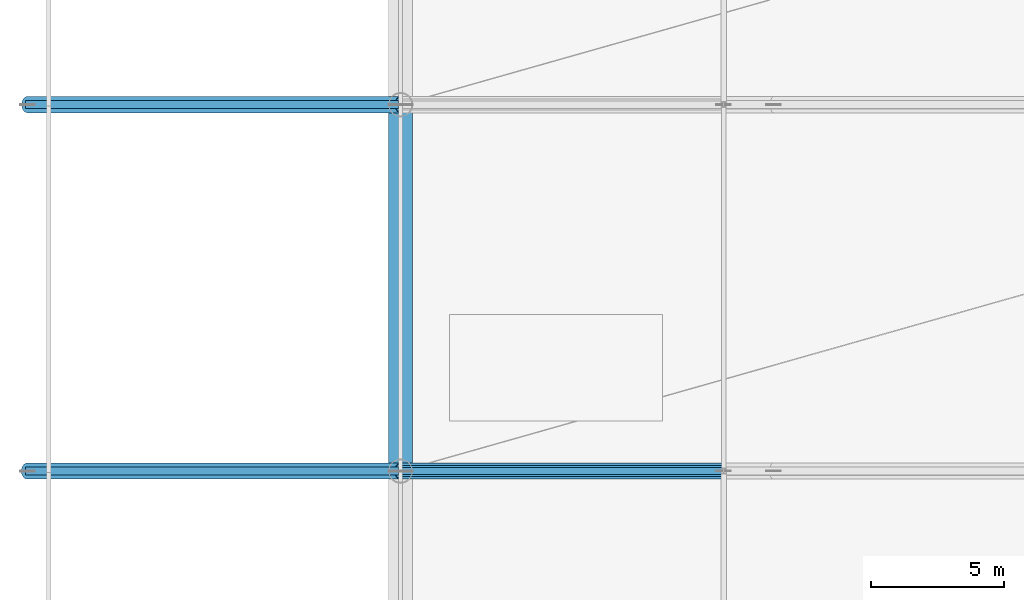
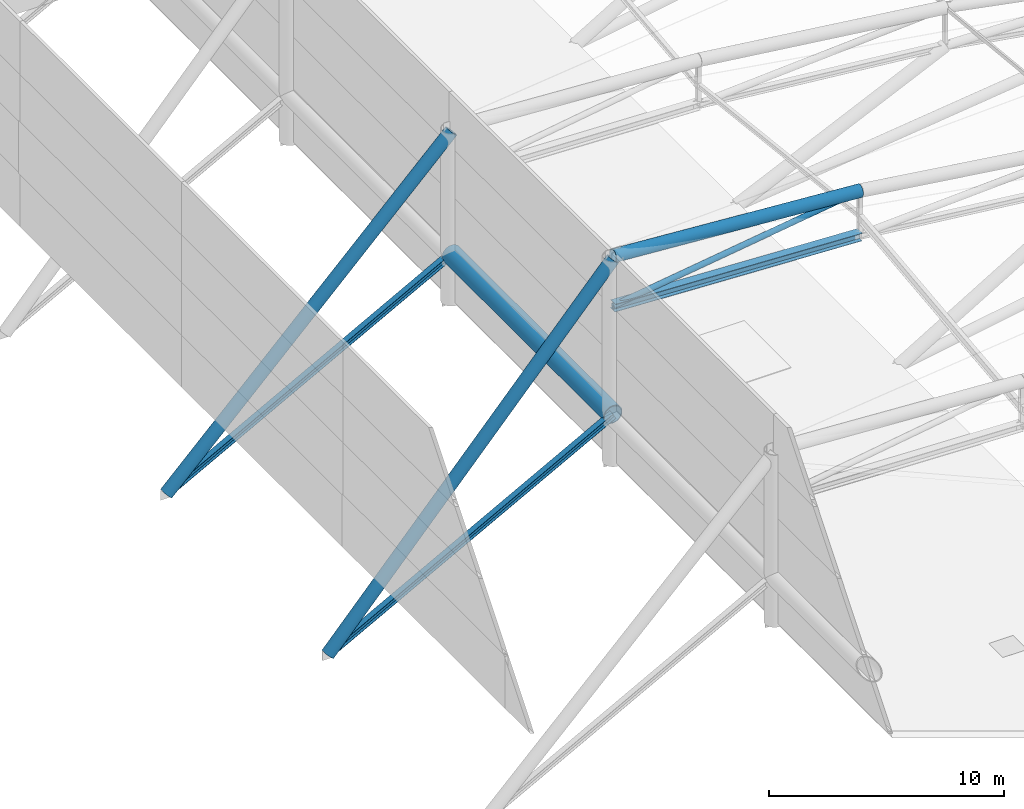
# One storey, part 13 of 36: 7 members, 1 beam.
"""IFC4 building model written with IfcOpenShell, lengths in metres."""

import ifcopenshell
import ifcopenshell.guid

model = None  # the IFC model being written
_history = None  # IfcOwnerHistory: only IFC2X3 demands one
_inside = {}  # id of a spatial element -> (the spatial element, [elements in it])
_under = {}  # id of a project, library or spatial element -> (it, [spatial elements below it])
_declared = {}  # id of a project -> (the project, [libraries it declares])
_typed = {}  # id of a type object -> (the type object, [elements of that type])
_made_of = {}  # id of a material, layer set ... -> (it, [elements and type objects made of it])


def new_model(schema):
    """Start an empty IFC model of exactly this schema.

    Asked for "IFC4X3", IfcOpenShell would pick the latest addendum, in which some entities
    have other attributes; the version numbers below select the first issue.
    IFC2X3 requires an IfcOwnerHistory on every rooted entity: one is made here for all.
    """
    global model, _history
    if schema == "IFC4X3":
        model = ifcopenshell.file(schema_version=(4, 3, 0, 0))
    else:
        model = ifcopenshell.file(schema=schema)
    _inside.clear()
    _under.clear()
    _declared.clear()
    _typed.clear()
    _made_of.clear()
    _history = None
    if model.schema == "IFC2X3":
        org = make("IfcOrganization", Name="unknown")
        user = make(
            "IfcPersonAndOrganization",
            ThePerson=make("IfcPerson", FamilyName="unknown"),
            TheOrganization=org,
        )
        app = make(
            "IfcApplication",
            ApplicationDeveloper=org,
            Version="unknown",
            ApplicationFullName="unknown",
            ApplicationIdentifier="unknown",
        )
        _history = make(
            "IfcOwnerHistory",
            OwningUser=user,
            OwningApplication=app,
            ChangeAction="ADDED",
            CreationDate=0,
        )
    return model


def make(cls, **values):
    """One entity of the class cls with the attributes given. An attribute that is None is left unset."""
    return model.create_entity(
        cls, **{name: value for name, value in values.items() if value is not None}
    )


def rooted(cls, **values):
    """An entity with a GlobalId (a new one), such as an element, a storey or a relation."""
    return make(cls, GlobalId=ifcopenshell.guid.new(), OwnerHistory=_history, **values)


def si_unit(unit_type, name, prefix=None):
    """IfcSIUnit, for example si_unit("LENGTHUNIT", "METRE", prefix="MILLI")."""
    return make("IfcSIUnit", UnitType=unit_type, Prefix=prefix, Name=name)


def assignment(units):
    """IfcUnitAssignment: the units of a project."""
    return None if units is None else make("IfcUnitAssignment", Units=units)


def point(xyz):
    """IfcCartesianPoint."""
    return None if xyz is None else make("IfcCartesianPoint", Coordinates=xyz)


def direction(xyz):
    """IfcDirection."""
    return None if xyz is None else make("IfcDirection", DirectionRatios=xyz)


def frame(location, z_axis=None, x_axis=None):
    """IfcAxis2Placement3D, a coordinate frame: its origin and axes. An axis left out is left unset."""
    return make(
        "IfcAxis2Placement3D",
        Location=point(location),
        Axis=direction(z_axis),
        RefDirection=direction(x_axis),
    )


def frame_2d(location, x_axis=None):
    """IfcAxis2Placement2D, a coordinate frame in the plane: its origin and x axis."""
    return make(
        "IfcAxis2Placement2D", Location=point(location), RefDirection=direction(x_axis)
    )


def origin():
    """The frame at (0, 0, 0) with its axes left unset."""
    return frame((0.0, 0.0, 0.0))


def origin_2d():
    """The frame at (0, 0) in the plane with its x axis left unset."""
    return frame_2d((0.0, 0.0))


def place(relative_to, where):
    """IfcLocalPlacement: puts the frame where relative to a parent placement (None: the world)."""
    return make(
        "IfcLocalPlacement", PlacementRelTo=relative_to, RelativePlacement=where
    )


def context(
    kind, dimensions, precision=None, world=None, true_north=None, identifier=None
):
    """IfcGeometricRepresentationContext, for example the 3D "Model" context."""
    return make(
        "IfcGeometricRepresentationContext",
        ContextIdentifier=identifier,
        ContextType=kind,
        CoordinateSpaceDimension=dimensions,
        Precision=precision,
        WorldCoordinateSystem=world,
        TrueNorth=true_north,
    )


def subcontext(parent, identifier, kind, view, scale=None):
    """IfcGeometricRepresentationSubContext, for example "Body" below "Model"."""
    return make(
        "IfcGeometricRepresentationSubContext",
        ContextIdentifier=identifier,
        ContextType=kind,
        ParentContext=parent,
        TargetScale=scale,
        TargetView=view,
    )


def project(units=None, contexts=None):
    """IfcProject with its units and contexts."""
    return rooted(
        "IfcProject",
        Name="project",
        RepresentationContexts=contexts,
        UnitsInContext=assignment(units),
    )


def spatial(cls, under=None, at=None, **own):
    """A site, building, storey or space (cls), placed at a placement, below another one or the project."""
    s = rooted(cls, ObjectPlacement=at, **own)
    if under is not None:
        _under.setdefault(under.id(), (under, []))[1].append(s)
    return s


def profile(cls, at=None, kind="AREA", **sizes):
    """A parametric profile (cls). Its sizes go by their IFC names, for example OverallWidth=200.0."""
    return make(cls, ProfileType=kind, Position=at, **sizes)


def hollow_circle(**sizes):
    """IfcCircleHollowProfileDef."""
    return profile("IfcCircleHollowProfileDef", **sizes)


def i_section(**sizes):
    """IfcIShapeProfileDef."""
    return profile("IfcIShapeProfileDef", **sizes)


def extrude(swept, where, along, depth):
    """IfcExtrudedAreaSolid: the profile swept, set in the frame where, extruded along a direction by depth."""
    return make(
        "IfcExtrudedAreaSolid",
        SweptArea=swept,
        Position=where,
        ExtrudedDirection=direction(along),
        Depth=depth,
    )


def shape(context_of_items, identifier, shape_type, items):
    """IfcShapeRepresentation: the items that make up one representation, for example the "Body"."""
    return make(
        "IfcShapeRepresentation",
        ContextOfItems=context_of_items,
        RepresentationIdentifier=identifier,
        RepresentationType=shape_type,
        Items=items,
    )


def material(Name=None, Category=None):
    """IfcMaterial."""
    return make("IfcMaterial", Name=Name, Category=Category)


def material_profile(
    of_material, cross_section, Name=None, Category=None, Priority=None
):
    """IfcMaterialProfile: a cross section and its material."""
    return make(
        "IfcMaterialProfile",
        Name=Name,
        Material=of_material,
        Profile=cross_section,
        Priority=Priority,
        Category=Category,
    )


def profile_set(profiles, Name=None, composite=None):
    """IfcMaterialProfileSet."""
    return make(
        "IfcMaterialProfileSet",
        Name=Name,
        MaterialProfiles=profiles,
        CompositeProfile=composite,
    )


def made_of(thing, what):
    """Note that an element or type object is made of a material, layer set ...; save() writes the relation."""
    if what is not None:
        _made_of.setdefault(what.id(), (what, []))[1].append(thing)
    return thing


def type_object(cls, material=None, **own):
    """A type object (cls), such as IfcWallType, which elements share."""
    return made_of(rooted(cls, **own), material)


def element(
    cls,
    number,
    at=None,
    inside=None,
    cuts=None,
    type_object=None,
    material=None,
    context=None,
    identifier="Body",
    shape_type=None,
    held_by="IfcProductDefinitionShape",
    body=None,
    shapes=None,
    **own,
):
    """One element of the class cls, such as IfcWall. Its Tag is "e" and its number.

    at: its placement. inside: the storey or other place that contains it. cuts: it is an
    opening in that element (IfcRelVoidsElement). A single representation is given by context,
    identifier, shape_type and body (its items); several are given by shapes. held_by: the class
    of the entity that holds the representations. save() writes the other relations.
    """
    e = rooted(cls, Tag="e%d" % number, ObjectPlacement=at, **own)
    if body is not None:
        shapes = [shape(context, identifier, shape_type, body)]
    if shapes is not None:
        e.Representation = make(held_by, Representations=shapes)
    if inside is not None:
        _inside.setdefault(inside.id(), (inside, []))[1].append(e)
    if cuts is not None:
        rooted(
            "IfcRelVoidsElement", RelatingBuildingElement=cuts, RelatedOpeningElement=e
        )
    if type_object is not None:
        _typed.setdefault(type_object.id(), (type_object, []))[1].append(e)
    return made_of(e, material)


def aggregate(whole, parts):
    """IfcRelAggregates: a whole, such as a stair, and the parts it consists of."""
    return rooted("IfcRelAggregates", RelatingObject=whole, RelatedObjects=parts)


def save(model, path):
    """Write the relations noted so far, then the file.

    IfcRelAggregates (storeys below a building ...), IfcRelContainedInSpatialStructure (elements
    in a storey), IfcRelDefinesByType, IfcRelAssociatesMaterial and IfcRelDeclares: one each for
    every whole, place, type object, material and project.
    """
    for whole, parts in _under.values():
        aggregate(whole, parts)
    for where, things in _inside.values():
        rooted(
            "IfcRelContainedInSpatialStructure",
            RelatedElements=things,
            RelatingStructure=where,
        )
    for kind, things in _typed.values():
        rooted("IfcRelDefinesByType", RelatedObjects=things, RelatingType=kind)
    for what, things in _made_of.values():
        rooted("IfcRelAssociatesMaterial", RelatedObjects=things, RelatingMaterial=what)
    for by, libraries in _declared.values():
        rooted("IfcRelDeclares", RelatingContext=by, RelatedDefinitions=libraries)
    model.write(path)


model = new_model("IFC4")

# Units and contexts
model_context = context("Model", 3, precision=1e-05, world=origin(), true_north=direction((0.0, 1.0)))
body_context = subcontext(model_context, "Body", "Model", "MODEL_VIEW")
ifc_project = project(units=[si_unit("LENGTHUNIT", "METRE"), si_unit("AREAUNIT", "SQUARE_METRE"), si_unit("VOLUMEUNIT", "CUBIC_METRE"), si_unit("PLANEANGLEUNIT", "RADIAN"), si_unit("MASSUNIT", "GRAM", prefix="KILO")], contexts=[model_context])

# Site, building, storey
site_placement = place(None, origin())
site = spatial("IfcSite", under=ifc_project, at=site_placement, CompositionType="ELEMENT")
building_placement = place(site_placement, origin())
building = spatial("IfcBuilding", under=site, at=building_placement, Name="Linyun Crest Stadium", CompositionType="ELEMENT")
storey_placement = place(building_placement, frame((0.0, 0.0, 31.60009765625)))
storey = spatial("IfcBuildingStorey", under=building, at=storey_placement, Name="RF", CompositionType="ELEMENT", Elevation=31.60009765625)

# Beam
ifc_material_1 = material(Name="Steel Q420C", Category="steel")
ifc_material_profile_1 = material_profile(ifc_material_1, hollow_circle(Radius=0.45703125, WallThickness=0.0380859375, at=origin_2d()), Name="CHS 914x38")
ifc_profile_set_1 = profile_set([ifc_material_profile_1], Name="Steel Q420C")
beam_type = type_object("IfcBeamType", Name="HB02", PredefinedType="USERDEFINED", material=ifc_profile_set_1)
beam_placement = place(storey_placement, frame((-84.0, 2.125, 2.164794921875), z_axis=(0.0, 1.0, 0.0), x_axis=(-1.0, 0.0, 0.0)))
element("IfcBeam", 1, at=beam_placement, inside=storey, type_object=beam_type, Name="Roof Outer compression ring beam HB02 V1 10", ObjectType="RING BEAM", PredefinedType="USERDEFINED", context=body_context, shape_type="SweptSolid", body=[
    extrude(hollow_circle(Radius=0.45703125, WallThickness=0.0380859375, at=origin_2d()), origin(), (0.0, 0.0, 1.0), 13.75),
])

# Members
ifc_material_2 = material(Name="Steel Q420C", Category="steel")
ifc_material_profile_2 = material_profile(ifc_material_2, hollow_circle(Radius=0.304931640625, WallThickness=0.030029296875, at=origin_2d()), Name="CHS 610x30")
ifc_profile_set_2 = profile_set([ifc_material_profile_2], Name="Steel Q420C")
member_type_1 = type_object("IfcMemberType", Name="TC02", PredefinedType="CHORD", material=ifc_profile_set_2)
member_1_placement = place(storey_placement, frame((-84.0, 2.125, 10.25), z_axis=(-0.66719573983, 0.0, -0.744882436867), x_axis=(0.0, -1.0, 0.0)))
element("IfcMember", 2, at=member_1_placement, inside=storey, type_object=member_type_1, Name="Roof truss back-stay chord TC02 V1 77", PredefinedType="CHORD", context=body_context, shape_type="SweptSolid", body=[
    extrude(hollow_circle(Radius=0.304931640625, WallThickness=0.030029296875, at=origin_2d()), origin(), (0.0, 0.0, 1.0), 20.9833984375),
])
member_2_placement = place(storey_placement, frame((-84.0, 2.125, 10.39990234375), z_axis=(0.997482094845, 0.0, -0.070918759602), x_axis=(0.0, 1.0, 0.0)))
element("IfcMember", 3, at=member_2_placement, inside=storey, type_object=member_type_1, Name="Roof truss top chord TC02 V1 79", PredefinedType="CHORD", context=body_context, shape_type="SweptSolid", body=[
    extrude(hollow_circle(Radius=0.304931640625, WallThickness=0.030029296875, at=origin_2d()), origin(), (0.0, 0.0, 1.0), 12.155517578125),
])
member_3_placement = place(storey_placement, frame((-84.0, 15.875, 8.5498046875), z_axis=(-0.708878482915, 0.0, -0.70533062918), x_axis=(0.0, -1.0, 0.0)))
element("IfcMember", 4, at=member_3_placement, inside=storey, type_object=member_type_1, Name="Roof truss back-stay chord TC02 V1 96", PredefinedType="CHORD", context=body_context, shape_type="SweptSolid", body=[
    extrude(hollow_circle(Radius=0.304931640625, WallThickness=0.030029296875, at=origin_2d()), origin(), (0.0, 0.0, 1.0), 19.74951171875),
])
ifc_material_3 = material(Name="Steel Q355C", Category="steel")
ifc_material_profile_3 = material_profile(ifc_material_3, i_section(OverallWidth=0.300048828125, OverallDepth=0.300048828125, WebThickness=0.010009765625, FlangeThickness=0.014892578125, at=origin_2d()), Name="HW 300x300")
ifc_profile_set_3 = profile_set([ifc_material_profile_3], Name="Steel Q355C")
member_type_2 = type_object("IfcMemberType", Name="TC03", PredefinedType="CHORD", material=ifc_profile_set_3)
for number, where, z_axis, x_axis, name in (
    (5, (-84.0, 2.125, 2.164794921875), (-0.880301475787, 0.0, -0.474414704376), (0.0, -1.0, 0.0), "Roof truss lower back-span chord TC03 V1 78"),
    (6, (-84.0, 15.875, 2.164794921875), (-0.880301475787, 0.0, -0.474414704376), (0.0, -1.0, 0.0), "Roof truss lower back-span chord TC03 V1 97"),
):
    element("IfcMember", number, at=place(storey_placement, frame(where, z_axis=z_axis, x_axis=x_axis)), inside=storey, type_object=member_type_2, Name=name, PredefinedType="CHORD", context=body_context, shape_type="SweptSolid", body=[
        extrude(i_section(OverallWidth=0.300048828125, OverallDepth=0.300048828125, WebThickness=0.010009765625, FlangeThickness=0.014892578125, at=origin_2d()), origin(), (0.0, 0.0, 1.0), 15.903564453125),
    ])
ifc_material_4 = material(Name="Steel Q420C", Category="steel")
ifc_material_profile_4 = material_profile(ifc_material_4, i_section(OverallWidth=0.407958984375, OverallDepth=0.39990234375, WebThickness=0.02099609375, FlangeThickness=0.02099609375, at=origin_2d()), Name="HW 400x408")
ifc_profile_set_4 = profile_set([ifc_material_profile_4], Name="Steel Q420C")
member_type_3 = type_object("IfcMemberType", Name="TC04", PredefinedType="CHORD", material=ifc_profile_set_4)
member_4_placement = place(storey_placement, frame((-84.0, 2.125, 7.7998046875), z_axis=(0.998973511028, 0.0, -0.045298170643), x_axis=(0.0, 1.0, 0.0)))
element("IfcMember", 7, at=member_4_placement, inside=storey, type_object=member_type_3, Name="Roof truss bottom chord TC04 V1 80", PredefinedType="CHORD", context=body_context, shape_type="SweptSolid", body=[
    extrude(i_section(OverallWidth=0.407958984375, OverallDepth=0.39990234375, WebThickness=0.02099609375, FlangeThickness=0.02099609375, at=origin_2d()), origin(), (0.0, 0.0, 1.0), 12.137451171875),
])
ifc_material_5 = material(Name="Steel Q355C", Category="steel")
ifc_material_profile_5 = material_profile(ifc_material_5, hollow_circle(Radius=0.136474609375, WallThickness=0.013916015625, at=origin_2d()), Name="CHS 273x14")
ifc_profile_set_5 = profile_set([ifc_material_profile_5], Name="Steel Q355C")
member_type_4 = type_object("IfcMemberType", Name="TD01", PredefinedType="BRACE", material=ifc_profile_set_5)
member_5_placement = place(storey_placement, frame((-84.0, 2.125, 7.7998046875), z_axis=(0.989882012596, 0.0, 0.141892921385), x_axis=(0.0, 1.0, 0.0)))
element("IfcMember", 8, at=member_5_placement, inside=storey, type_object=member_type_4, Name="Roof truss diagonal TD01 V1 81", PredefinedType="BRACE", context=body_context, shape_type="SweptSolid", body=[
    extrude(hollow_circle(Radius=0.136474609375, WallThickness=0.013916015625, at=origin_2d()), origin(), (0.0, 0.0, 1.0), 12.2490234375),
])

save(model, "model.ifc")
